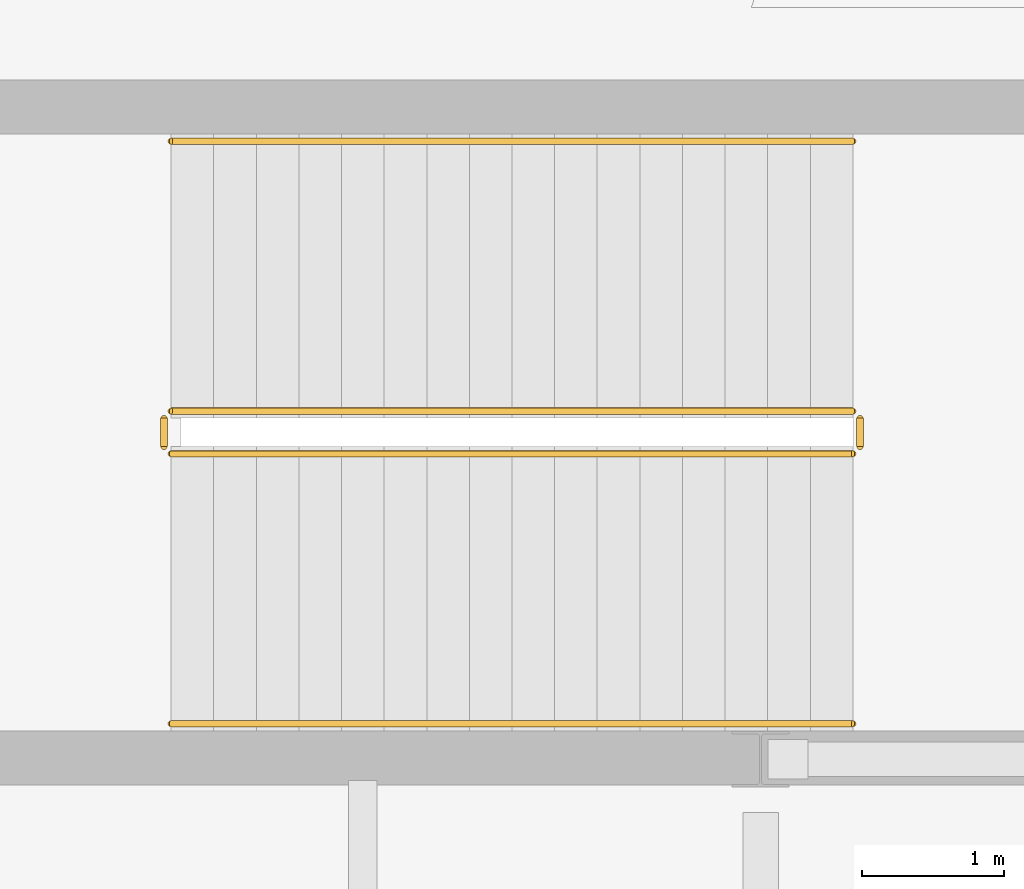
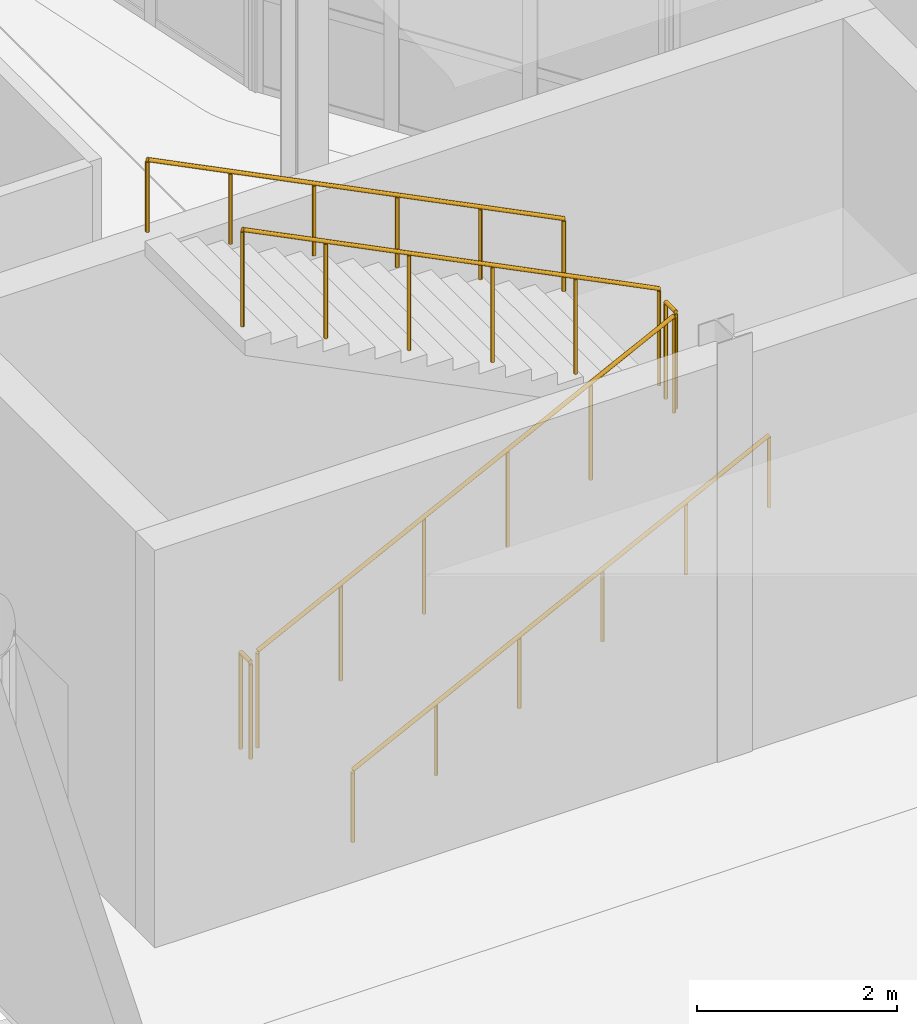
# One storey, part 86 of 104: 6 railings.
"""IFC4 building model written with IfcOpenShell, lengths in metres."""

from ifc_helpers import new_model, si_unit, direction, frame, origin, origin_2d, place, context, subcontext, project, spatial, circle, extrude, material, type_object, element, save


model = new_model("IFC4")

# Units and contexts
model_context = context("Model", 3, precision=1e-05, world=origin(), true_north=direction((0.0, 1.0)))
body_context = subcontext(model_context, "Body", "Model", "MODEL_VIEW")
ifc_project = project(units=[si_unit("LENGTHUNIT", "METRE"), si_unit("AREAUNIT", "SQUARE_METRE"), si_unit("VOLUMEUNIT", "CUBIC_METRE"), si_unit("PLANEANGLEUNIT", "RADIAN"), si_unit("MASSUNIT", "GRAM", prefix="KILO"), si_unit("THERMODYNAMICTEMPERATUREUNIT", "KELVIN")], contexts=[model_context])

# Site, building, storey
site_placement = place(None, origin())
site = spatial("IfcSite", under=ifc_project, at=site_placement, CompositionType="ELEMENT")
building_placement = place(site_placement, origin())
building = spatial("IfcBuilding", under=site, at=building_placement, Name="Lustrewick Department Store", CompositionType="ELEMENT")
storey_placement = place(building_placement, frame((0.0, 0.0, 11.39990234375)))
storey = spatial("IfcBuildingStorey", under=building, at=storey_placement, Name="L03", CompositionType="ELEMENT", Elevation=11.39990234375)

# Railings
ifc_material_1 = material(Name="Painted tubular steel stairwell guardrail", Category="steel")
railing_type_1 = type_object("IfcRailingType", Name="RL-STG", PredefinedType="GUARDRAIL", material=ifc_material_1)
railing_1_placement = place(storey_placement, frame((12.64990234375, 52.550048828125, 0.150146484375)))
element("IfcRailing", 1, at=railing_1_placement, inside=storey, type_object=railing_type_1, Name="L03 ST01 Stair Guard 1", PredefinedType="GUARDRAIL", context=body_context, shape_type="SweptSolid", body=[
    extrude(circle(Radius=0.02392578125, at=origin_2d()), frame((0.0, 0.0, 1.17578125), z_axis=(0.894436289399, 0.0, 0.44719539824), x_axis=(0.0, 1.0, 0.0)), (0.0, 0.0, 1.0), 5.366455078125),
    extrude(circle(Radius=0.02099609375, at=origin_2d()), origin(), (0.0, 0.0, 1.0), 1.15185546875),
    extrude(circle(Radius=0.02099609375, at=origin_2d()), frame((0.9599609375, 0.0, 0.47998046875)), (0.0, 0.0, 1.0), 1.15185546875),
    extrude(circle(Radius=0.02099609375, at=origin_2d()), frame((1.919921875, 0.0, 0.9599609375)), (0.0, 0.0, 1.0), 1.15185546875),
    extrude(circle(Radius=0.02099609375, at=origin_2d()), frame((2.880126953125, 0.0, 1.43994140625)), (0.0, 0.0, 1.0), 1.15185546875),
    extrude(circle(Radius=0.02099609375, at=origin_2d()), frame((3.840087890625, 0.0, 1.919921875)), (0.0, 0.0, 1.0), 1.15185546875),
    extrude(circle(Radius=0.02099609375, at=origin_2d()), frame((4.800048828125, 0.0, 2.39990234375)), (0.0, 0.0, 1.0), 1.15185546875),
])
railing_2_placement = place(storey_placement, frame((17.5, 52.60009765625, 2.550048828125)))
element("IfcRailing", 2, at=railing_2_placement, inside=storey, type_object=railing_type_1, Name="L03 ST01 Stair Guard 2", PredefinedType="GUARDRAIL", context=body_context, shape_type="SweptSolid", body=[
    extrude(circle(Radius=0.02392578125, at=origin_2d()), frame((0.0, 0.0, 1.17578125), z_axis=(0.0, 1.0, 0.0), x_axis=(-1.0, 0.0, 0.0)), (0.0, 0.0, 1.0), 0.199951171875),
    extrude(circle(Radius=0.02099609375, at=origin_2d()), origin(), (0.0, 0.0, 1.0), 1.15185546875),
    extrude(circle(Radius=0.02099609375, at=origin_2d()), frame((0.0, 0.199951171875, 0.0)), (0.0, 0.0, 1.0), 1.15185546875),
])
railing_3_placement = place(storey_placement, frame((17.449951171875, 52.85009765625, 2.7001953125)))
element("IfcRailing", 3, at=railing_3_placement, inside=storey, type_object=railing_type_1, Name="L03 ST01 Stair Guard 3", PredefinedType="GUARDRAIL", context=body_context, shape_type="SweptSolid", body=[
    extrude(circle(Radius=0.02392578125, at=origin_2d()), frame((0.0, 0.0, 1.17578125), z_axis=(-0.894436289399, 0.0, 0.44719539824), x_axis=(0.0, -1.0, 0.0)), (0.0, 0.0, 1.0), 5.366455078125),
    extrude(circle(Radius=0.02099609375, at=origin_2d()), origin(), (0.0, 0.0, 1.0), 1.15185546875),
    extrude(circle(Radius=0.02099609375, at=origin_2d()), frame((-0.9599609375, 0.0, 0.47998046875)), (0.0, 0.0, 1.0), 1.15185546875),
    extrude(circle(Radius=0.02099609375, at=origin_2d()), frame((-1.919921875, 0.0, 0.9599609375)), (0.0, 0.0, 1.0), 1.15185546875),
    extrude(circle(Radius=0.02099609375, at=origin_2d()), frame((-2.880126953125, 0.0, 1.43994140625)), (0.0, 0.0, 1.0), 1.15185546875),
    extrude(circle(Radius=0.02099609375, at=origin_2d()), frame((-3.840087890625, 0.0, 1.919921875)), (0.0, 0.0, 1.0), 1.15185546875),
    extrude(circle(Radius=0.02099609375, at=origin_2d()), frame((-4.800048828125, 0.0, 2.39990234375)), (0.0, 0.0, 1.0), 1.15185546875),
])
railing_4_placement = place(storey_placement, frame((12.60009765625, 52.60009765625, 0.0)))
element("IfcRailing", 4, at=railing_4_placement, inside=storey, type_object=railing_type_1, Name="L03 ST01 Stair Guard 4", PredefinedType="GUARDRAIL", context=body_context, shape_type="SweptSolid", body=[
    extrude(circle(Radius=0.02392578125, at=origin_2d()), frame((0.0, 0.0, 1.17578125), z_axis=(0.0, 1.0, 0.0), x_axis=(-1.0, 0.0, 0.0)), (0.0, 0.0, 1.0), 0.199951171875),
    extrude(circle(Radius=0.02099609375, at=origin_2d()), origin(), (0.0, 0.0, 1.0), 1.15185546875),
    extrude(circle(Radius=0.02099609375, at=origin_2d()), frame((0.0, 0.199951171875, 0.0)), (0.0, 0.0, 1.0), 1.15185546875),
])
ifc_material_2 = material(Name="Brushed stainless steel wall handrail", Category="steel")
railing_type_2 = type_object("IfcRailingType", Name="RL-STH", PredefinedType="HANDRAIL", material=ifc_material_2)
railing_5_placement = place(storey_placement, frame((12.64990234375, 50.64990234375, 0.150146484375)))
element("IfcRailing", 5, at=railing_5_placement, inside=storey, type_object=railing_type_2, Name="L03 ST01 Stair Handrail 1", PredefinedType="HANDRAIL", context=body_context, shape_type="SweptSolid", body=[
    extrude(circle(Radius=0.02392578125, at=origin_2d()), frame((0.0, 0.0, 0.8759765625), z_axis=(0.894436289399, 0.0, 0.44719539824), x_axis=(0.0, 1.0, 0.0)), (0.0, 0.0, 1.0), 5.366455078125),
    extrude(circle(Radius=0.02099609375, at=origin_2d()), origin(), (0.0, 0.0, 1.0), 0.851806640625),
    extrude(circle(Radius=0.02099609375, at=origin_2d()), frame((0.9599609375, 0.0, 0.47998046875)), (0.0, 0.0, 1.0), 0.851806640625),
    extrude(circle(Radius=0.02099609375, at=origin_2d()), frame((1.919921875, 0.0, 0.9599609375)), (0.0, 0.0, 1.0), 0.851806640625),
    extrude(circle(Radius=0.02099609375, at=origin_2d()), frame((2.880126953125, 0.0, 1.43994140625)), (0.0, 0.0, 1.0), 0.851806640625),
    extrude(circle(Radius=0.02099609375, at=origin_2d()), frame((3.840087890625, 0.0, 1.919921875)), (0.0, 0.0, 1.0), 0.851806640625),
    extrude(circle(Radius=0.02099609375, at=origin_2d()), frame((4.800048828125, 0.0, 2.39990234375)), (0.0, 0.0, 1.0), 0.851806640625),
])
railing_6_placement = place(storey_placement, frame((17.449951171875, 54.75, 2.7001953125)))
element("IfcRailing", 6, at=railing_6_placement, inside=storey, type_object=railing_type_2, Name="L03 ST01 Stair Handrail 2", PredefinedType="HANDRAIL", context=body_context, shape_type="SweptSolid", body=[
    extrude(circle(Radius=0.02392578125, at=origin_2d()), frame((0.0, 0.0, 0.8759765625), z_axis=(-0.894436289399, 0.0, 0.44719539824), x_axis=(0.0, -1.0, 0.0)), (0.0, 0.0, 1.0), 5.366455078125),
    extrude(circle(Radius=0.02099609375, at=origin_2d()), origin(), (0.0, 0.0, 1.0), 0.851806640625),
    extrude(circle(Radius=0.02099609375, at=origin_2d()), frame((-0.9599609375, 0.0, 0.47998046875)), (0.0, 0.0, 1.0), 0.851806640625),
    extrude(circle(Radius=0.02099609375, at=origin_2d()), frame((-1.919921875, 0.0, 0.9599609375)), (0.0, 0.0, 1.0), 0.851806640625),
    extrude(circle(Radius=0.02099609375, at=origin_2d()), frame((-2.880126953125, 0.0, 1.43994140625)), (0.0, 0.0, 1.0), 0.851806640625),
    extrude(circle(Radius=0.02099609375, at=origin_2d()), frame((-3.840087890625, 0.0, 1.919921875)), (0.0, 0.0, 1.0), 0.851806640625),
    extrude(circle(Radius=0.02099609375, at=origin_2d()), frame((-4.800048828125, 0.0, 2.39990234375)), (0.0, 0.0, 1.0), 0.851806640625),
])

save(model, "model.ifc")
